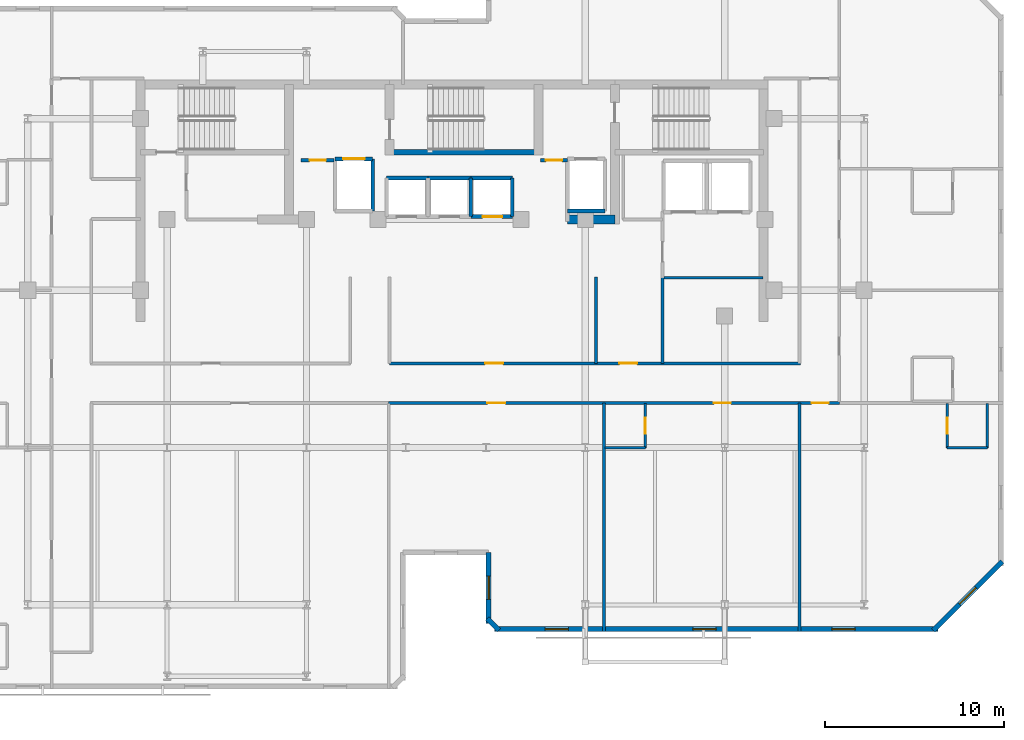
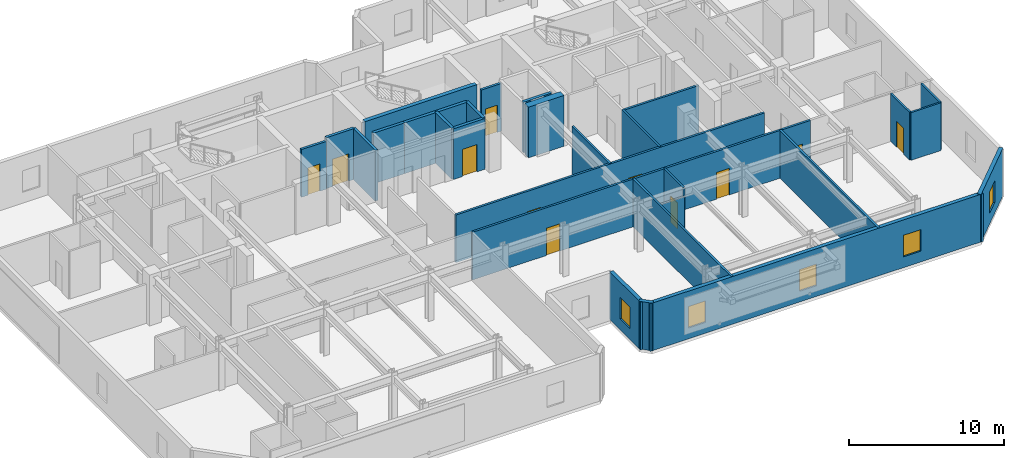
# One storey, part 5 of 10: 29 walls, 11 doors, 5 windows, 16 openings.
"""IFC4 building model written with IfcOpenShell, lengths in metres."""

from ifc_helpers import new_model, si_unit, direction, frame, frame_2d, origin, place, context, subcontext, project, spatial, rectangle, extrude, material, layer, layer_set, type_object, element, fill, save


model = new_model("IFC4")

# Units and contexts
model_context = context("Model", 3, precision=1e-05, world=origin(), true_north=direction((0.0, 1.0)))
body_context = subcontext(model_context, "Body", "Model", "MODEL_VIEW")
ifc_project = project(units=[si_unit("LENGTHUNIT", "METRE"), si_unit("AREAUNIT", "SQUARE_METRE"), si_unit("VOLUMEUNIT", "CUBIC_METRE"), si_unit("PLANEANGLEUNIT", "RADIAN"), si_unit("MASSUNIT", "GRAM", prefix="KILO")], contexts=[model_context])

# Site, building, storey
site_placement = place(None, origin())
site = spatial("IfcSite", under=ifc_project, at=site_placement, CompositionType="ELEMENT")
building_placement = place(site_placement, origin())
building = spatial("IfcBuilding", under=site, at=building_placement, Name="Kestravale Grand Hotel", CompositionType="ELEMENT")
storey_placement = place(building_placement, frame((0.0, 0.0, 261.39990234375)))
storey = spatial("IfcBuildingStorey", under=building, at=storey_placement, Name="L65", CompositionType="ELEMENT", Elevation=261.39990234375)

# Wall
ifc_material_1 = material(Name="Concrete f'c 50 MPa", Category="concrete")
ifc_layer_1 = layer(ifc_material_1, 0.5)
ifc_layer_set_1 = layer_set([ifc_layer_1], Name="EW-CORE-500")
wall_type_1 = type_object("IfcWallType", Name="EW-CORE-500", PredefinedType="SHEAR", material=ifc_layer_set_1)
wall_1_placement = place(storey_placement, frame((45.81005859375, 32.75, 0.0), z_axis=(0.0, 0.0, 1.0), x_axis=(1.0, 0.0, 0.0)))
element("IfcWall", 1, at=wall_1_placement, inside=storey, type_object=wall_type_1, Name="L65 core shear wall S2", PredefinedType="SHEAR", context=body_context, shape_type="SweptSolid", body=[
    extrude(rectangle(XDim=2.639892578125, YDim=0.5, at=frame_2d((1.31982421875, 0.0))), origin(), (0.0, 0.0, 1.0), 4.0),
])

# Wall, opening, window
ifc_material_2 = material(Name="Precast concrete f'c 45 MPa", Category="concrete")
ifc_layer_2 = layer(ifc_material_2, 0.280029296875)
ifc_layer_set_2 = layer_set([ifc_layer_2], Name="EW-PREC-280")
wall_type_2 = type_object("IfcWallType", Name="EW-PREC-280", PredefinedType="SOLIDWALL", material=ifc_layer_set_2)
wall_2_placement = place(storey_placement, frame((41.389892578125, 14.139892578125, 0.0), z_axis=(0.0, 0.0, 1.0), x_axis=(0.0, -1.0, 0.0)))
wall_2 = element("IfcWall", 2, at=wall_2_placement, inside=storey, type_object=wall_type_2, Name="L65 fluted precast facade wall 5", PredefinedType="SOLIDWALL", context=body_context, shape_type="SweptSolid", body=[
    extrude(rectangle(XDim=3.97998046875, YDim=0.280029296875, at=frame_2d((1.989990234375, 0.0))), origin(), (0.0, 0.0, 1.0), 3.760009765625),
])
opening_1_placement = place(wall_2_placement, frame((1.340087890625, 0.0, 0.85009765625)))
opening_1 = element("IfcOpeningElement", 3, at=opening_1_placement, cuts=wall_2, Name="Opening W-GUEST-1300", PredefinedType="OPENING", context=body_context, shape_type="SweptSolid", body=[
    extrude(rectangle(XDim=1.300048828125, YDim=1.699951171875, at=frame_2d((0.64990234375, 0.85009765625))), frame((0.0, 0.14990234375, 0.0), z_axis=(0.0, -1.0, 0.0), x_axis=(1.0, 0.0, 0.0)), (0.0, 0.0, 1.0), 0.300048828125),
])
ifc_material_3 = material(Name="Insulated low-E double glazing in aluminium frame", Category="aluminium")
window_type = type_object("IfcWindowType", Name="W-GUEST-1300", PartitioningType="SINGLE_PANEL", PredefinedType="WINDOW", material=ifc_material_3)
window_1_placement = place(opening_1_placement, origin())
window_1 = element("IfcWindow", 4, at=window_1_placement, inside=storey, type_object=window_type, Name="L65 exterior window 5.1", OverallHeight=1.699951171875, OverallWidth=1.300048828125, PartitioningType="SINGLE_PANEL", PredefinedType="WINDOW", context=body_context, shape_type="SweptSolid", body=[
    extrude(rectangle(XDim=1.300048828125, YDim=1.699951171875, at=frame_2d((0.64990234375, 0.85009765625))), frame((0.0, 0.030029296875, 0.0), z_axis=(0.0, -1.0, 0.0), x_axis=(1.0, 0.0, 0.0)), (0.0, 0.0, 1.0), 0.06005859375),
])
fill(opening_1, window_1)

# Wall
wall_3_placement = place(storey_placement, frame((41.32080078125, 10.42724609375, 0.0), z_axis=(0.0, 0.0, 1.0), x_axis=(0.707106781187, -0.707106781187, 0.0)))
element("IfcWall", 5, at=wall_3_placement, inside=storey, type_object=wall_type_2, Name="L65 fluted precast facade wall 6", PredefinedType="SOLIDWALL", context=body_context, shape_type="SweptSolid", body=[
    extrude(rectangle(XDim=0.928466796875, YDim=0.280029296875, at=frame_2d((0.46435546875, 0.0))), origin(), (0.0, 0.0, 1.0), 3.760009765625),
])

# Wall, openings, windows
wall_4_placement = place(storey_placement, frame((41.7099609375, 9.840087890625, 0.0), z_axis=(0.0, 0.0, 1.0), x_axis=(1.0, 0.0, 0.0)))
wall_4 = element("IfcWall", 6, at=wall_4_placement, inside=storey, type_object=wall_type_2, Name="L65 fluted precast facade wall 7", PredefinedType="SOLIDWALL", context=body_context, shape_type="SweptSolid", body=[
    extrude(rectangle(XDim=24.830078125, YDim=0.280029296875, at=frame_2d((12.4150390625, 0.0))), origin(), (0.0, 0.0, 1.0), 3.760009765625),
])
opening_2_placement = place(wall_4_placement, frame((2.83837890625, 0.0, 0.85009765625)))
opening_2 = element("IfcOpeningElement", 7, at=opening_2_placement, cuts=wall_4, Name="Opening W-GUEST-1300", PredefinedType="OPENING", context=body_context, shape_type="SweptSolid", body=[
    extrude(rectangle(XDim=1.300048828125, YDim=1.699951171875, at=frame_2d((0.64990234375, 0.85009765625))), frame((0.0, 0.14990234375, 0.0), z_axis=(0.0, -1.0, 0.0), x_axis=(1.0, 0.0, 0.0)), (0.0, 0.0, 1.0), 0.300048828125),
])
opening_3_placement = place(wall_4_placement, frame((11.114990234375, 0.0, 0.85009765625)))
opening_3 = element("IfcOpeningElement", 8, at=opening_3_placement, cuts=wall_4, Name="Opening W-GUEST-1300", PredefinedType="OPENING", context=body_context, shape_type="SweptSolid", body=[
    extrude(rectangle(XDim=1.300048828125, YDim=1.699951171875, at=frame_2d((0.64990234375, 0.85009765625))), frame((0.0, 0.14990234375, 0.0), z_axis=(0.0, -1.0, 0.0), x_axis=(1.0, 0.0, 0.0)), (0.0, 0.0, 1.0), 0.300048828125),
])
opening_4_placement = place(wall_4_placement, frame((18.8916015625, 0.0, 0.85009765625)))
opening_4 = element("IfcOpeningElement", 9, at=opening_4_placement, cuts=wall_4, Name="Opening W-GUEST-1300", PredefinedType="OPENING", context=body_context, shape_type="SweptSolid", body=[
    extrude(rectangle(XDim=1.300048828125, YDim=1.699951171875, at=frame_2d((0.64990234375, 0.85009765625))), frame((0.0, 0.14990234375, 0.0), z_axis=(0.0, -1.0, 0.0), x_axis=(1.0, 0.0, 0.0)), (0.0, 0.0, 1.0), 0.300048828125),
])
window_2_placement = place(opening_2_placement, origin())
window_2 = element("IfcWindow", 10, at=window_2_placement, inside=storey, type_object=window_type, Name="L65 exterior window 7.1", OverallHeight=1.699951171875, OverallWidth=1.300048828125, PartitioningType="SINGLE_PANEL", PredefinedType="WINDOW", context=body_context, shape_type="SweptSolid", body=[
    extrude(rectangle(XDim=1.300048828125, YDim=1.699951171875, at=frame_2d((0.64990234375, 0.85009765625))), frame((0.0, 0.030029296875, 0.0), z_axis=(0.0, -1.0, 0.0), x_axis=(1.0, 0.0, 0.0)), (0.0, 0.0, 1.0), 0.06005859375),
])
fill(opening_2, window_2)
window_3_placement = place(opening_3_placement, origin())
window_3 = element("IfcWindow", 11, at=window_3_placement, inside=storey, type_object=window_type, Name="L65 exterior window 7.2", OverallHeight=1.699951171875, OverallWidth=1.300048828125, PartitioningType="SINGLE_PANEL", PredefinedType="WINDOW", context=body_context, shape_type="SweptSolid", body=[
    extrude(rectangle(XDim=1.300048828125, YDim=1.699951171875, at=frame_2d((0.64990234375, 0.85009765625))), frame((0.0, 0.030029296875, 0.0), z_axis=(0.0, -1.0, 0.0), x_axis=(1.0, 0.0, 0.0)), (0.0, 0.0, 1.0), 0.06005859375),
])
fill(opening_3, window_3)
window_4_placement = place(opening_4_placement, origin())
window_4 = element("IfcWindow", 12, at=window_4_placement, inside=storey, type_object=window_type, Name="L65 exterior window 7.3", OverallHeight=1.699951171875, OverallWidth=1.300048828125, PartitioningType="SINGLE_PANEL", PredefinedType="WINDOW", context=body_context, shape_type="SweptSolid", body=[
    extrude(rectangle(XDim=1.300048828125, YDim=1.699951171875, at=frame_2d((0.64990234375, 0.85009765625))), frame((0.0, 0.030029296875, 0.0), z_axis=(0.0, -1.0, 0.0), x_axis=(1.0, 0.0, 0.0)), (0.0, 0.0, 1.0), 0.06005859375),
])
fill(opening_4, window_4)

# Wall, opening, window
wall_5_placement = place(storey_placement, frame((66.272705078125, 9.770751953125, 0.0), z_axis=(0.0, 0.0, 1.0), x_axis=(0.707129162587, 0.707084399077, 0.0)))
wall_5 = element("IfcWall", 13, at=wall_5_placement, inside=storey, type_object=wall_type_2, Name="L65 fluted precast facade wall 8", PredefinedType="SOLIDWALL", context=body_context, shape_type="SweptSolid", body=[
    extrude(rectangle(XDim=5.4541015625, YDim=0.280029296875, at=frame_2d((2.72705078125, 0.0))), origin(), (0.0, 0.0, 1.0), 3.760009765625),
])
opening_5_placement = place(wall_5_placement, frame((2.076904296875, 0.0, 0.85009765625)))
opening_5 = element("IfcOpeningElement", 14, at=opening_5_placement, cuts=wall_5, Name="Opening W-GUEST-1300", PredefinedType="OPENING", context=body_context, shape_type="SweptSolid", body=[
    extrude(rectangle(XDim=1.300048828125, YDim=1.699951171875, at=frame_2d((0.64990234375, 0.85009765625))), frame((0.0, 0.14990234375, 0.0), z_axis=(0.0, -1.0, 0.0), x_axis=(1.0, 0.0, 0.0)), (0.0, 0.0, 1.0), 0.300048828125),
])
window_5_placement = place(opening_5_placement, origin())
window_5 = element("IfcWindow", 15, at=window_5_placement, inside=storey, type_object=window_type, Name="L65 exterior window 8.1", OverallHeight=1.699951171875, OverallWidth=1.300048828125, PartitioningType="SINGLE_PANEL", PredefinedType="WINDOW", context=body_context, shape_type="SweptSolid", body=[
    extrude(rectangle(XDim=1.300048828125, YDim=1.699951171875, at=frame_2d((0.64990234375, 0.85009765625))), frame((0.0, 0.030029296875, 0.0), z_axis=(0.0, -1.0, 0.0), x_axis=(1.0, 0.0, 0.0)), (0.0, 0.0, 1.0), 0.06005859375),
])
fill(opening_5, window_5)

# Walls
ifc_material_4 = material(Name="Concrete f'c 45 MPa", Category="concrete")
ifc_layer_3 = layer(ifc_material_4, 0.300048828125)
ifc_layer_set_3 = layer_set([ifc_layer_3], Name="EW-STAIR-300")
wall_type_3 = type_object("IfcWallType", Name="EW-STAIR-300", PredefinedType="SHEAR", material=ifc_layer_set_3)
wall_6_placement = place(storey_placement, frame((35.85009765625, 36.52001953125, 0.0), z_axis=(0.0, 0.0, 1.0), x_axis=(1.0, 0.0, 0.0)))
element("IfcWall", 16, at=wall_6_placement, inside=storey, type_object=wall_type_3, Name="L65 stair enclosure shear wall SST2", PredefinedType="SHEAR", context=body_context, shape_type="SweptSolid", body=[
    extrude(rectangle(XDim=8.329833984375, YDim=0.300048828125, at=frame_2d((4.1650390625, 0.0))), origin(), (0.0, 0.0, 1.0), 4.0),
])
ifc_material_5 = material(Name="Acoustic fire-rated gypsum board partition", Category="other")
ifc_layer_4 = layer(ifc_material_5, 0.159912109375)
ifc_layer_set_4 = layer_set([ifc_layer_4], Name="IW-CORR-160")
wall_type_4 = type_object("IfcWallType", Name="IW-CORR-160", PredefinedType="PARTITIONING", material=ifc_layer_set_4)
wall_7_placement = place(storey_placement, frame((51.1201171875, 29.5, 0.0), z_axis=(0.0, 0.0, 1.0), x_axis=(1.0, 0.0, 0.0)))
element("IfcWall", 17, at=wall_7_placement, inside=storey, type_object=wall_type_4, Name="L65 service lift lobby wall", PredefinedType="PARTITIONING", context=body_context, shape_type="SweptSolid", body=[
    extrude(rectangle(XDim=5.6298828125, YDim=0.159912109375, at=frame_2d((2.81494140625, 0.0))), origin(), (0.0, 0.0, 1.0), 3.760009765625),
])

# Wall, openings, doors
wall_8_placement = place(storey_placement, frame((35.85009765625, 24.7099609375, 0.0), z_axis=(0.0, 0.0, 1.0), x_axis=(1.0, 0.0, 0.0)))
wall_8 = element("IfcWall", 18, at=wall_8_placement, inside=storey, type_object=wall_type_4, Name="W-L65-CE-N", PredefinedType="PARTITIONING", context=body_context, shape_type="SweptSolid", body=[
    extrude(rectangle(XDim=23.0, YDim=0.159912109375, at=frame_2d((11.5, 0.0))), origin(), (0.0, 0.0, 1.0), 3.760009765625),
])
opening_6_placement = place(wall_8_placement, frame((5.35009765625, 0.0, 0.0)))
opening_6 = element("IfcOpeningElement", 19, at=opening_6_placement, cuts=wall_8, Name="Opening D-GUEST-1000", PredefinedType="OPENING", context=body_context, shape_type="SweptSolid", body=[
    extrude(rectangle(XDim=1.0, YDim=2.14990234375, at=frame_2d((0.5, 1.074951171875))), frame((0.0, 0.08984375, 0.0), z_axis=(0.0, -1.0, 0.0), x_axis=(1.0, 0.0, 0.0)), (0.0, 0.0, 1.0), 0.179931640625),
])
opening_7_placement = place(wall_8_placement, frame((12.85009765625, 0.0, 0.0)))
opening_7 = element("IfcOpeningElement", 20, at=opening_7_placement, cuts=wall_8, Name="Opening D-GUEST-1000", PredefinedType="OPENING", context=body_context, shape_type="SweptSolid", body=[
    extrude(rectangle(XDim=1.0, YDim=2.14990234375, at=frame_2d((0.5, 1.074951171875))), frame((0.0, 0.08984375, 0.0), z_axis=(0.0, -1.0, 0.0), x_axis=(1.0, 0.0, 0.0)), (0.0, 0.0, 1.0), 0.179931640625),
])
ifc_material_6 = material(Name="Accessible walnut veneer hotel entrance fire door", Category="wood")
door_type_1 = type_object("IfcDoorType", Name="D-GUEST-1000", OperationType="NOTDEFINED", PredefinedType="DOOR", material=ifc_material_6)
door_1_placement = place(opening_6_placement, origin())
door_1 = element("IfcDoor", 21, at=door_1_placement, inside=storey, type_object=door_type_1, Name="D-L65-RECL-E1", OperationType="SINGLE_SWING_LEFT", OverallHeight=2.14990234375, OverallWidth=1.0, PredefinedType="DOOR", context=body_context, shape_type="SweptSolid", body=[
    extrude(rectangle(XDim=1.0, YDim=2.14990234375, at=frame_2d((0.5, 1.074951171875))), frame((0.0, 0.02490234375, 0.0), z_axis=(0.0, -1.0, 0.0), x_axis=(1.0, 0.0, 0.0)), (0.0, 0.0, 1.0), 0.050048828125),
])
fill(opening_6, door_1)
door_2_placement = place(opening_7_placement, origin())
door_2 = element("IfcDoor", 22, at=door_2_placement, inside=storey, type_object=door_type_1, Name="D-L65-RECL-E2", OperationType="SINGLE_SWING_RIGHT", OverallHeight=2.14990234375, OverallWidth=1.0, PredefinedType="DOOR", context=body_context, shape_type="SweptSolid", body=[
    extrude(rectangle(XDim=1.0, YDim=2.14990234375, at=frame_2d((0.5, 1.074951171875))), frame((0.0, 0.02490234375, 0.0), z_axis=(0.0, -1.0, 0.0), x_axis=(1.0, 0.0, 0.0)), (0.0, 0.0, 1.0), 0.050048828125),
])
fill(opening_7, door_2)

wall_9_placement = place(storey_placement, frame((35.800048828125, 22.489990234375, 0.0), z_axis=(0.0, 0.0, 1.0), x_axis=(1.0, 0.0, 0.0)))
wall_9 = element("IfcWall", 23, at=wall_9_placement, inside=storey, type_object=wall_type_4, Name="W-L65-CE-S", PredefinedType="PARTITIONING", context=body_context, shape_type="SweptSolid", body=[
    extrude(rectangle(XDim=25.2099609375, YDim=0.159912109375, at=frame_2d((12.60498046875, 0.0))), origin(), (0.0, 0.0, 1.0), 3.760009765625),
])
opening_8_placement = place(wall_9_placement, frame((5.5224609375, 0.0, 0.0)))
opening_8 = element("IfcOpeningElement", 24, at=opening_8_placement, cuts=wall_9, Name="Opening D-GUEST-1000", PredefinedType="OPENING", context=body_context, shape_type="SweptSolid", body=[
    extrude(rectangle(XDim=1.0, YDim=2.14990234375, at=frame_2d((0.5, 1.074951171875))), frame((0.0, 0.08984375, 0.0), z_axis=(0.0, -1.0, 0.0), x_axis=(1.0, 0.0, 0.0)), (0.0, 0.0, 1.0), 0.179931640625),
])
opening_9_placement = place(wall_9_placement, frame((18.197509765625, 0.0, 0.0)))
opening_9 = element("IfcOpeningElement", 25, at=opening_9_placement, cuts=wall_9, Name="Opening D-GUEST-950", PredefinedType="OPENING", context=body_context, shape_type="SweptSolid", body=[
    extrude(rectangle(XDim=0.949951171875, YDim=2.10009765625, at=frame_2d((0.47509765625, 1.050048828125))), frame((0.0, 0.08984375, 0.0), z_axis=(0.0, -1.0, 0.0), x_axis=(1.0, 0.0, 0.0)), (0.0, 0.0, 1.0), 0.179931640625),
])
opening_10_placement = place(wall_9_placement, frame((23.6650390625, 0.0, 0.0)))
opening_10 = element("IfcOpeningElement", 26, at=opening_10_placement, cuts=wall_9, Name="Opening D-GUEST-950", PredefinedType="OPENING", context=body_context, shape_type="SweptSolid", body=[
    extrude(rectangle(XDim=0.949951171875, YDim=2.10009765625, at=frame_2d((0.47509765625, 1.050048828125))), frame((0.0, 0.08984375, 0.0), z_axis=(0.0, -1.0, 0.0), x_axis=(1.0, 0.0, 0.0)), (0.0, 0.0, 1.0), 0.179931640625),
])
door_3_placement = place(opening_8_placement, origin())
door_3 = element("IfcDoor", 27, at=door_3_placement, inside=storey, type_object=door_type_1, Name="D-L65-AME", OperationType="SINGLE_SWING_RIGHT", OverallHeight=2.14990234375, OverallWidth=1.0, PredefinedType="DOOR", context=body_context, shape_type="SweptSolid", body=[
    extrude(rectangle(XDim=1.0, YDim=2.14990234375, at=frame_2d((0.5, 1.074951171875))), frame((0.0, 0.02490234375, 0.0), z_axis=(0.0, -1.0, 0.0), x_axis=(1.0, 0.0, 0.0)), (0.0, 0.0, 1.0), 0.050048828125),
])
fill(opening_8, door_3)
ifc_material_7 = material(Name="Walnut veneer hotel guestroom entrance fire door", Category="wood")
door_type_2 = type_object("IfcDoorType", Name="D-GUEST-950", OperationType="NOTDEFINED", PredefinedType="DOOR", material=ifc_material_7)
door_4_placement = place(opening_9_placement, origin())
door_4 = element("IfcDoor", 28, at=door_4_placement, inside=storey, type_object=door_type_2, Name="D-L65-U01-ENT", OperationType="SINGLE_SWING_RIGHT", OverallHeight=2.10009765625, OverallWidth=0.949951171875, PredefinedType="DOOR", context=body_context, shape_type="SweptSolid", body=[
    extrude(rectangle(XDim=0.949951171875, YDim=2.10009765625, at=frame_2d((0.47509765625, 1.050048828125))), frame((0.0, 0.02490234375, 0.0), z_axis=(0.0, -1.0, 0.0), x_axis=(1.0, 0.0, 0.0)), (0.0, 0.0, 1.0), 0.050048828125),
])
fill(opening_9, door_4)
door_5_placement = place(opening_10_placement, origin())
door_5 = element("IfcDoor", 29, at=door_5_placement, inside=storey, type_object=door_type_2, Name="D-L65-U05-ENT", OperationType="SINGLE_SWING_LEFT", OverallHeight=2.10009765625, OverallWidth=0.949951171875, PredefinedType="DOOR", context=body_context, shape_type="SweptSolid", body=[
    extrude(rectangle(XDim=0.949951171875, YDim=2.10009765625, at=frame_2d((0.47509765625, 1.050048828125))), frame((0.0, 0.02490234375, 0.0), z_axis=(0.0, -1.0, 0.0), x_axis=(1.0, 0.0, 0.0)), (0.0, 0.0, 1.0), 0.050048828125),
])
fill(opening_10, door_5)

# Wall, opening, door
ifc_material_8 = material(Name="Fire-rated gypsum board on steel studs with mineral wool", Category="steel")
ifc_layer_5 = layer(ifc_material_8, 0.179931640625)
ifc_layer_set_5 = layer_set([ifc_layer_5], Name="IW-FSAE-180")
wall_type_5 = type_object("IfcWallType", Name="IW-FSAE-180", PredefinedType="PARTITIONING", material=ifc_layer_set_5)
wall_10_placement = place(storey_placement, frame((30.89990234375, 36.080078125, 0.0), z_axis=(0.0, 0.0, 1.0), x_axis=(1.0, 0.0, 0.0)))
wall_10 = element("IfcWall", 30, at=wall_10_placement, inside=storey, type_object=wall_type_5, Name="L65 FSAE Lobby 1 smoke barrier", PredefinedType="PARTITIONING", context=body_context, shape_type="SweptSolid", body=[
    extrude(rectangle(XDim=1.85009765625, YDim=0.179931640625, at=frame_2d((0.925048828125, 0.0))), origin(), (0.0, 0.0, 1.0), 3.760009765625),
])
opening_11_placement = place(wall_10_placement, frame((0.47998046875, 0.0, 0.0)))
opening_11 = element("IfcOpeningElement", 31, at=opening_11_placement, cuts=wall_10, Name="Opening D-FSAE-1000", PredefinedType="OPENING", context=body_context, shape_type="SweptSolid", body=[
    extrude(rectangle(XDim=0.89990234375, YDim=2.14990234375, at=frame_2d((0.449951171875, 1.074951171875))), frame((0.0, 0.099853515625, 0.0), z_axis=(0.0, -1.0, 0.0), x_axis=(1.0, 0.0, 0.0)), (0.0, 0.0, 1.0), 0.199951171875),
])
ifc_material_9 = material(Name="Smoke-gasketed FSAE lobby fire door", Category="steel")
door_type_3 = type_object("IfcDoorType", Name="D-FSAE-1000", OperationType="NOTDEFINED", PredefinedType="DOOR", material=ifc_material_9)
door_6_placement = place(opening_11_placement, origin())
door_6 = element("IfcDoor", 32, at=door_6_placement, inside=storey, type_object=door_type_3, Name="L65 FSAE Lobby 1 fire door", OperationType="SINGLE_SWING_RIGHT", OverallHeight=2.14990234375, OverallWidth=0.89990234375, PredefinedType="DOOR", context=body_context, shape_type="SweptSolid", body=[
    extrude(rectangle(XDim=0.89990234375, YDim=2.14990234375, at=frame_2d((0.449951171875, 1.074951171875))), frame((0.0, 0.02490234375, 0.0), z_axis=(0.0, -1.0, 0.0), x_axis=(1.0, 0.0, 0.0)), (0.0, 0.0, 1.0), 0.050048828125),
])
fill(opening_11, door_6)

wall_11_placement = place(storey_placement, frame((44.300048828125, 36.080078125, 0.0), z_axis=(0.0, 0.0, 1.0), x_axis=(1.0, 0.0, 0.0)))
wall_11 = element("IfcWall", 33, at=wall_11_placement, inside=storey, type_object=wall_type_5, Name="L65 FSAE Lobby 2 smoke barrier", PredefinedType="PARTITIONING", context=body_context, shape_type="SweptSolid", body=[
    extrude(rectangle(XDim=1.5, YDim=0.179931640625, at=frame_2d((0.75, 0.0))), origin(), (0.0, 0.0, 1.0), 3.760009765625),
])
opening_12_placement = place(wall_11_placement, frame((0.300048828125, 0.0, 0.0)))
opening_12 = element("IfcOpeningElement", 34, at=opening_12_placement, cuts=wall_11, Name="Opening D-FSAE-1000", PredefinedType="OPENING", context=body_context, shape_type="SweptSolid", body=[
    extrude(rectangle(XDim=0.89990234375, YDim=2.14990234375, at=frame_2d((0.449951171875, 1.074951171875))), frame((0.0, 0.099853515625, 0.0), z_axis=(0.0, -1.0, 0.0), x_axis=(1.0, 0.0, 0.0)), (0.0, 0.0, 1.0), 0.199951171875),
])
door_7_placement = place(opening_12_placement, origin())
door_7 = element("IfcDoor", 35, at=door_7_placement, inside=storey, type_object=door_type_3, Name="L65 FSAE Lobby 2 fire door", OperationType="SINGLE_SWING_LEFT", OverallHeight=2.14990234375, OverallWidth=0.89990234375, PredefinedType="DOOR", context=body_context, shape_type="SweptSolid", body=[
    extrude(rectangle(XDim=0.89990234375, YDim=2.14990234375, at=frame_2d((0.449951171875, 1.074951171875))), frame((0.0, 0.02490234375, 0.0), z_axis=(0.0, -1.0, 0.0), x_axis=(1.0, 0.0, 0.0)), (0.0, 0.0, 1.0), 0.050048828125),
])
fill(opening_12, door_7)

ifc_material_10 = material(Name="Moisture-resistant tile-backer plumbing chase wall", Category="other")
ifc_layer_6 = layer(ifc_material_10, 0.139892578125)
ifc_layer_set_6 = layer_set([ifc_layer_6], Name="IW-PLB-140")
wall_type_6 = type_object("IfcWallType", Name="IW-PLB-140", PredefinedType="PLUMBINGWALL", material=ifc_layer_set_6)
wall_12_placement = place(storey_placement, frame((50.155029296875, 19.97998046875, 0.0), z_axis=(0.0, 0.0, 1.0), x_axis=(0.0, 1.0, 0.0)))
wall_12 = element("IfcWall", 36, at=wall_12_placement, inside=storey, type_object=wall_type_6, Name="W-L65-U01-BE", PredefinedType="PLUMBINGWALL", context=body_context, shape_type="SweptSolid", body=[
    extrude(rectangle(XDim=2.489990234375, YDim=0.139892578125, at=frame_2d((1.2451171875, 0.0))), origin(), (0.0, 0.0, 1.0), 3.760009765625),
])
opening_13_placement = place(wall_12_placement, frame((0.804931640625, 0.0, 0.0)))
opening_13 = element("IfcOpeningElement", 37, at=opening_13_placement, cuts=wall_12, Name="Opening D-BATH-880", PredefinedType="OPENING", context=body_context, shape_type="SweptSolid", body=[
    extrude(rectangle(XDim=0.8798828125, YDim=2.050048828125, at=frame_2d((0.43994140625, 1.02490234375))), frame((0.0, 0.079833984375, 0.0), z_axis=(0.0, -1.0, 0.0), x_axis=(1.0, 0.0, 0.0)), (0.0, 0.0, 1.0), 0.159912109375),
])
ifc_material_11 = material(Name="Moisture-sealed walnut en-suite bathroom door", Category="wood")
door_type_4 = type_object("IfcDoorType", Name="D-BATH-880", OperationType="NOTDEFINED", PredefinedType="DOOR", material=ifc_material_11)
door_8_placement = place(opening_13_placement, origin())
door_8 = element("IfcDoor", 38, at=door_8_placement, inside=storey, type_object=door_type_4, Name="D-L65-U01-BATH", OperationType="SINGLE_SWING_LEFT", OverallHeight=2.050048828125, OverallWidth=0.8798828125, PredefinedType="DOOR", context=body_context, shape_type="SweptSolid", body=[
    extrude(rectangle(XDim=0.8798828125, YDim=2.050048828125, at=frame_2d((0.43994140625, 1.02490234375))), frame((0.0, 0.02490234375, 0.0), z_axis=(0.0, -1.0, 0.0), x_axis=(1.0, 0.0, 0.0)), (0.0, 0.0, 1.0), 0.050048828125),
])
fill(opening_13, door_8)

# Wall
wall_13_placement = place(storey_placement, frame((47.905029296875, 19.97998046875, 0.0), z_axis=(0.0, 0.0, 1.0), x_axis=(1.0, 0.0, 0.0)))
element("IfcWall", 39, at=wall_13_placement, inside=storey, type_object=wall_type_6, Name="W-L65-U01-BS", PredefinedType="PLUMBINGWALL", context=body_context, shape_type="SweptSolid", body=[
    extrude(rectangle(XDim=2.25, YDim=0.139892578125, at=frame_2d((1.125, 0.0))), origin(), (0.0, 0.0, 1.0), 3.064208984375),
])

# Wall, opening, door
wall_14_placement = place(storey_placement, frame((67.050048828125, 19.97998046875, 0.0), z_axis=(0.0, 0.0, 1.0), x_axis=(0.0, 1.0, 0.0)))
wall_14 = element("IfcWall", 40, at=wall_14_placement, inside=storey, type_object=wall_type_6, Name="W-L65-U05-BW", PredefinedType="PLUMBINGWALL", context=body_context, shape_type="SweptSolid", body=[
    extrude(rectangle(XDim=2.489990234375, YDim=0.139892578125, at=frame_2d((1.2451171875, 0.0))), origin(), (0.0, 0.0, 1.0), 3.760009765625),
])
opening_14_placement = place(wall_14_placement, frame((0.804931640625, 0.0, 0.0)))
opening_14 = element("IfcOpeningElement", 41, at=opening_14_placement, cuts=wall_14, Name="Opening D-BATH-880", PredefinedType="OPENING", context=body_context, shape_type="SweptSolid", body=[
    extrude(rectangle(XDim=0.8798828125, YDim=2.050048828125, at=frame_2d((0.43994140625, 1.02490234375))), frame((0.0, 0.079833984375, 0.0), z_axis=(0.0, -1.0, 0.0), x_axis=(1.0, 0.0, 0.0)), (0.0, 0.0, 1.0), 0.159912109375),
])
door_9_placement = place(opening_14_placement, origin())
door_9 = element("IfcDoor", 42, at=door_9_placement, inside=storey, type_object=door_type_4, Name="D-L65-U05-BATH", OperationType="SINGLE_SWING_RIGHT", OverallHeight=2.050048828125, OverallWidth=0.8798828125, PredefinedType="DOOR", context=body_context, shape_type="SweptSolid", body=[
    extrude(rectangle(XDim=0.8798828125, YDim=2.050048828125, at=frame_2d((0.43994140625, 1.02490234375))), frame((0.0, 0.02490234375, 0.0), z_axis=(0.0, -1.0, 0.0), x_axis=(1.0, 0.0, 0.0)), (0.0, 0.0, 1.0), 0.050048828125),
])
fill(opening_14, door_9)

# Walls
wall_15_placement = place(storey_placement, frame((69.300048828125, 19.97998046875, 0.0), z_axis=(0.0, 0.0, 1.0), x_axis=(0.0, 1.0, 0.0)))
element("IfcWall", 43, at=wall_15_placement, inside=storey, type_object=wall_type_6, Name="W-L65-U05-BE", PredefinedType="PLUMBINGWALL", context=body_context, shape_type="SweptSolid", body=[
    extrude(rectangle(XDim=2.489990234375, YDim=0.139892578125, at=frame_2d((1.2451171875, 0.0))), origin(), (0.0, 0.0, 1.0), 3.760009765625),
])
wall_16_placement = place(storey_placement, frame((67.050048828125, 19.97998046875, 0.0), z_axis=(0.0, 0.0, 1.0), x_axis=(1.0, 0.0, 0.0)))
element("IfcWall", 44, at=wall_16_placement, inside=storey, type_object=wall_type_6, Name="W-L65-U05-BS", PredefinedType="PLUMBINGWALL", context=body_context, shape_type="SweptSolid", body=[
    extrude(rectangle(XDim=2.25, YDim=0.139892578125, at=frame_2d((1.125, 0.0))), origin(), (0.0, 0.0, 1.0), 3.760009765625),
])
ifc_material_12 = material(Name="Concrete f'c 45 MPa", Category="concrete")
ifc_layer_7 = layer(ifc_material_12, 0.199951171875)
ifc_layer_set_7 = layer_set([ifc_layer_7], Name="IW-SHAFT-200")
wall_type_7 = type_object("IfcWallType", Name="IW-SHAFT-200", PredefinedType="SHEAR", material=ifc_layer_set_7)
for number, where, z_axis, x_axis, name in (
    (45, (40.39990234375, 32.919921875, 0.0), (0.0, 0.0, 1.0), (0.0, 1.0, 0.0), "L65 PL-X3 west shaft wall"),
    (46, (42.719970703125, 32.919921875, 0.0), (0.0, 0.0, 1.0), (0.0, 1.0, 0.0), "L65 PL-X3 east shaft wall"),
):
    element("IfcWall", number, at=place(storey_placement, frame(where, z_axis=z_axis, x_axis=x_axis)), inside=storey, type_object=wall_type_7, Name=name, PredefinedType="SHEAR", context=body_context, shape_type="SweptSolid", body=[
        extrude(rectangle(XDim=2.16015625, YDim=0.199951171875, at=frame_2d((1.080078125, 0.0))), origin(), (0.0, 0.0, 1.0), 4.0),
    ])
wall_17_placement = place(storey_placement, frame((34.89501953125, 33.2451171875, 0.0), z_axis=(0.0, 0.0, 1.0), x_axis=(0.0, 1.0, 0.0)))
element("IfcWall", 47, at=wall_17_placement, inside=storey, type_object=wall_type_7, Name="L65 FL-1 east shaft wall", PredefinedType="SHEAR", context=body_context, shape_type="SweptSolid", body=[
    extrude(rectangle(XDim=2.909912109375, YDim=0.199951171875, at=frame_2d((1.455078125, 0.0))), origin(), (0.0, 0.0, 1.0), 4.0),
])
ifc_material_13 = material(Name="Concrete f'c 45 MPa", Category="concrete")
ifc_layer_8 = layer(ifc_material_13, 0.219970703125)
ifc_layer_set_8 = layer_set([ifc_layer_8], Name="IW-SHAFT-220")
wall_type_8 = type_object("IfcWallType", Name="IW-SHAFT-220", PredefinedType="SHEAR", material=ifc_layer_set_8)
wall_18_placement = place(storey_placement, frame((35.679931640625, 35.080078125, 0.0), z_axis=(0.0, 0.0, 1.0), x_axis=(1.0, 0.0, 0.0)))
element("IfcWall", 48, at=wall_18_placement, inside=storey, type_object=wall_type_8, Name="L65 PL-X1 north shaft wall", PredefinedType="SHEAR", context=body_context, shape_type="SweptSolid", body=[
    extrude(rectangle(XDim=2.320068359375, YDim=0.219970703125, at=frame_2d((1.16015625, 0.0))), origin(), (0.0, 0.0, 1.0), 4.0),
])
wall_19_placement = place(storey_placement, frame((38.0, 35.080078125, 0.0), z_axis=(0.0, 0.0, 1.0), x_axis=(1.0, 0.0, 0.0)))
element("IfcWall", 49, at=wall_19_placement, inside=storey, type_object=wall_type_8, Name="L65 PL-X2 north shaft wall", PredefinedType="SHEAR", context=body_context, shape_type="SweptSolid", body=[
    extrude(rectangle(XDim=2.39990234375, YDim=0.219970703125, at=frame_2d((1.199951171875, 0.0))), origin(), (0.0, 0.0, 1.0), 4.0),
])
wall_20_placement = place(storey_placement, frame((40.39990234375, 35.080078125, 0.0), z_axis=(0.0, 0.0, 1.0), x_axis=(1.0, 0.0, 0.0)))
element("IfcWall", 50, at=wall_20_placement, inside=storey, type_object=wall_type_8, Name="L65 PL-X3 north shaft wall", PredefinedType="SHEAR", context=body_context, shape_type="SweptSolid", body=[
    extrude(rectangle(XDim=2.320068359375, YDim=0.219970703125, at=frame_2d((1.16015625, 0.0))), origin(), (0.0, 0.0, 1.0), 4.0),
])

# Wall, opening, door
wall_21_placement = place(storey_placement, frame((40.39990234375, 32.919921875, 0.0), z_axis=(0.0, 0.0, 1.0), x_axis=(1.0, 0.0, 0.0)))
wall_21 = element("IfcWall", 51, at=wall_21_placement, inside=storey, type_object=wall_type_8, Name="L65 PL-X3 south shaft wall", PredefinedType="SHEAR", context=body_context, shape_type="SweptSolid", body=[
    extrude(rectangle(XDim=2.320068359375, YDim=0.219970703125, at=frame_2d((1.16015625, 0.0))), origin(), (0.0, 0.0, 1.0), 4.0),
])
opening_15_placement = place(wall_21_placement, frame((0.64990234375, 0.0, 0.0)))
opening_15 = element("IfcOpeningElement", 52, at=opening_15_placement, cuts=wall_21, Name="Opening LD-PAX-1100", PredefinedType="OPENING", context=body_context, shape_type="SweptSolid", body=[
    extrude(rectangle(XDim=1.10009765625, YDim=2.14990234375, at=frame_2d((0.550048828125, 1.074951171875))), frame((0.0, 0.119873046875, 0.0), z_axis=(0.0, -1.0, 0.0), x_axis=(1.0, 0.0, 0.0)), (0.0, 0.0, 1.0), 0.239990234375),
])
ifc_material_14 = material(Name="Champagne-bronze center-opening sliding elevator landing door", Category="steel")
door_type_5 = type_object("IfcDoorType", Name="LD-PAX-1100", OperationType="NOTDEFINED", PredefinedType="DOOR", material=ifc_material_14)
door_10_placement = place(opening_15_placement, origin())
door_10 = element("IfcDoor", 53, at=door_10_placement, inside=storey, type_object=door_type_5, Name="L65 PL-X3 elevator landing sliding door", OperationType="DOUBLE_DOOR_SLIDING", OverallHeight=2.14990234375, OverallWidth=1.10009765625, PredefinedType="DOOR", context=body_context, shape_type="SweptSolid", body=[
    extrude(rectangle(XDim=1.10009765625, YDim=2.14990234375, at=frame_2d((0.550048828125, 1.074951171875))), frame((0.0, 0.02490234375, 0.0), z_axis=(0.0, -1.0, 0.0), x_axis=(1.0, 0.0, 0.0)), (0.0, 0.0, 1.0), 0.050048828125),
])
fill(opening_15, door_10)

wall_22_placement = place(storey_placement, frame((32.804931640625, 36.155029296875, 0.0), z_axis=(0.0, 0.0, 1.0), x_axis=(1.0, 0.0, 0.0)))
wall_22 = element("IfcWall", 54, at=wall_22_placement, inside=storey, type_object=wall_type_8, Name="L65 FL-1 north shaft wall", PredefinedType="SHEAR", context=body_context, shape_type="SweptSolid", body=[
    extrude(rectangle(XDim=2.090087890625, YDim=0.219970703125, at=frame_2d((1.044921875, 0.0))), origin(), (0.0, 0.0, 1.0), 4.0),
])
opening_16_placement = place(wall_22_placement, frame((0.445068359375, 0.0, 0.0)))
opening_16 = element("IfcOpeningElement", 55, at=opening_16_placement, cuts=wall_22, Name="Opening LD-FSAE-1200", PredefinedType="OPENING", context=body_context, shape_type="SweptSolid", body=[
    extrude(rectangle(XDim=1.199951171875, YDim=2.14990234375, at=frame_2d((0.60009765625, 1.074951171875))), frame((0.0, 0.119873046875, 0.0), z_axis=(0.0, -1.0, 0.0), x_axis=(1.0, 0.0, 0.0)), (0.0, 0.0, 1.0), 0.239990234375),
])
ifc_material_15 = material(Name="Stainless fire-service sliding elevator landing door", Category="steel")
door_type_6 = type_object("IfcDoorType", Name="LD-FSAE-1200", OperationType="NOTDEFINED", PredefinedType="DOOR", material=ifc_material_15)
door_11_placement = place(opening_16_placement, origin())
door_11 = element("IfcDoor", 56, at=door_11_placement, inside=storey, type_object=door_type_6, Name="L65 FL-1 elevator landing sliding door", OperationType="DOUBLE_DOOR_SLIDING", OverallHeight=2.14990234375, OverallWidth=1.199951171875, PredefinedType="DOOR", context=body_context, shape_type="SweptSolid", body=[
    extrude(rectangle(XDim=1.199951171875, YDim=2.14990234375, at=frame_2d((0.60009765625, 1.074951171875))), frame((0.0, 0.02490234375, 0.0), z_axis=(0.0, -1.0, 0.0), x_axis=(1.0, 0.0, 0.0)), (0.0, 0.0, 1.0), 0.050048828125),
])
fill(opening_16, door_11)

# Walls
wall_23_placement = place(storey_placement, frame((45.804931640625, 33.2451171875, 0.0), z_axis=(0.0, 0.0, 1.0), x_axis=(1.0, 0.0, 0.0)))
element("IfcWall", 57, at=wall_23_placement, inside=storey, type_object=wall_type_8, Name="L65 FL-2 south shaft wall", PredefinedType="SHEAR", context=body_context, shape_type="SweptSolid", body=[
    extrude(rectangle(XDim=2.090087890625, YDim=0.219970703125, at=frame_2d((1.044921875, 0.0))), origin(), (0.0, 0.0, 1.0), 4.0),
])
ifc_material_16 = material(Name="Double-stud STC 52 acoustic demising partition", Category="other")
ifc_layer_9 = layer(ifc_material_16, 0.14990234375)
ifc_layer_set_9 = layer_set([ifc_layer_9], Name="IW-UNIT-150")
wall_type_9 = type_object("IfcWallType", Name="IW-UNIT-150", PredefinedType="PARTITIONING", material=ifc_layer_set_9)
for number, where, z_axis, x_axis, name in (
    (58, (47.39990234375, 24.7099609375, 0.0), (0.0, 0.0, 1.0), (0.0, 1.0, 0.0), "W-L65-RCLE-M"),
    (59, (51.1201171875, 24.7099609375, 0.0), (0.0, 0.0, 1.0), (0.0, 1.0, 0.0), "W-L65-RCLE-E"),
):
    element("IfcWall", number, at=place(storey_placement, frame(where, z_axis=z_axis, x_axis=x_axis)), inside=storey, type_object=wall_type_9, Name=name, PredefinedType="PARTITIONING", context=body_context, shape_type="SweptSolid", body=[
        extrude(rectangle(XDim=4.840087890625, YDim=0.14990234375, at=frame_2d((2.419921875, 0.0))), origin(), (0.0, 0.0, 1.0), 3.760009765625),
    ])
for number, where, z_axis, x_axis, name in (
    (60, (47.844970703125, 9.719970703125, 0.0), (0.0, 0.0, 1.0), (0.0, 1.0, 0.0), "W-L65-ES-1"),
    (61, (58.7900390625, 9.719970703125, 0.0), (0.0, 0.0, 1.0), (0.0, 1.0, 0.0), "W-L65-SEC-W"),
):
    element("IfcWall", number, at=place(storey_placement, frame(where, z_axis=z_axis, x_axis=x_axis)), inside=storey, type_object=wall_type_9, Name=name, PredefinedType="PARTITIONING", context=body_context, shape_type="SweptSolid", body=[
        extrude(rectangle(XDim=12.77001953125, YDim=0.14990234375, at=frame_2d((6.385009765625, 0.0))), origin(), (0.0, 0.0, 1.0), 3.760009765625),
    ])

save(model, "model.ifc")
